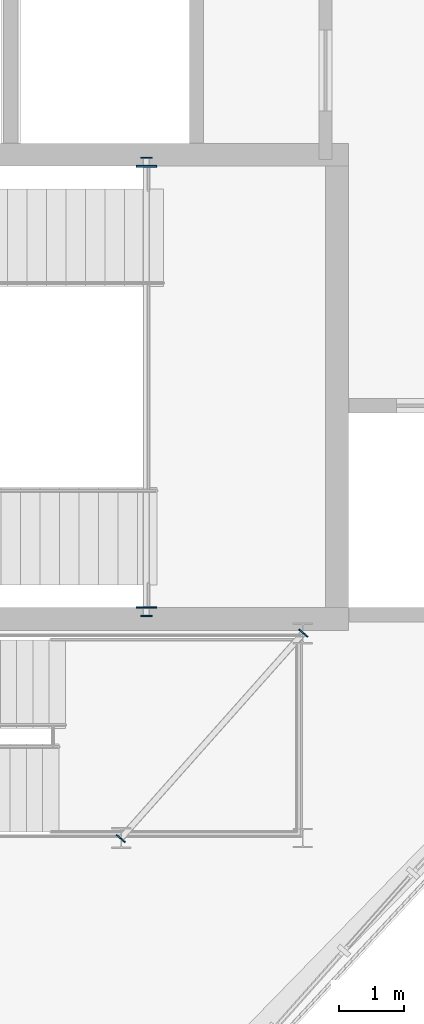
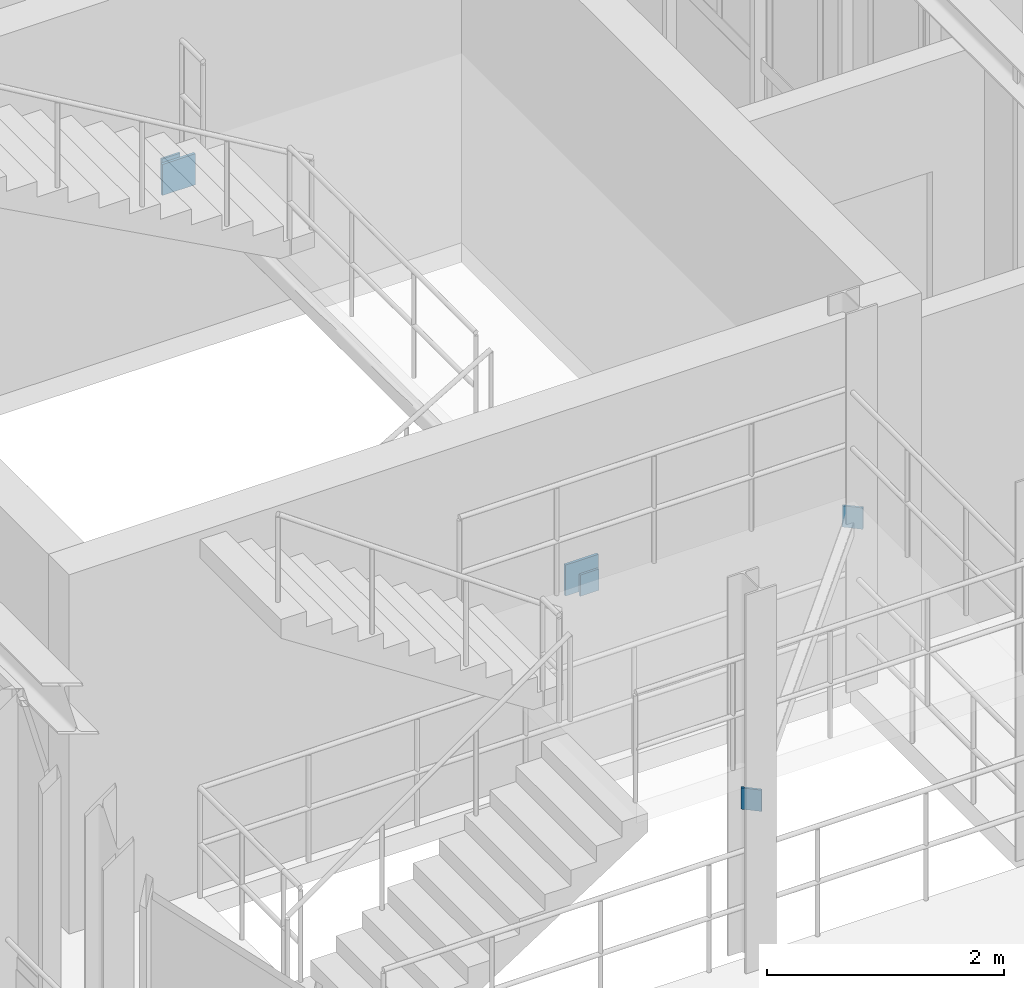
# One storey, part 22 of 42: 6 plates.
"""IFC4 building model written with IfcOpenShell, lengths in metres."""

from ifc_helpers import new_model, si_unit, direction, frame, origin, origin_2d, place, context, subcontext, project, spatial, rectangle, extrude, material, layer, layer_set, type_object, element, save


model = new_model("IFC4")

# Units and contexts
model_context = context("Model", 3, precision=1e-05, world=origin(), true_north=direction((0.0, 1.0)))
body_context = subcontext(model_context, "Body", "Model", "MODEL_VIEW")
ifc_project = project(units=[si_unit("LENGTHUNIT", "METRE"), si_unit("AREAUNIT", "SQUARE_METRE"), si_unit("VOLUMEUNIT", "CUBIC_METRE"), si_unit("PLANEANGLEUNIT", "RADIAN"), si_unit("MASSUNIT", "GRAM", prefix="KILO"), si_unit("THERMODYNAMICTEMPERATUREUNIT", "KELVIN"), si_unit("POWERUNIT", "WATT")], contexts=[model_context])

# Site, building, storey
site_placement = place(None, origin())
site = spatial("IfcSite", under=ifc_project, at=site_placement, CompositionType="ELEMENT")
building_placement = place(site_placement, origin())
building = spatial("IfcBuilding", under=site, at=building_placement, Name="Solvatero Civic Police Headquarters", CompositionType="ELEMENT")
storey_placement = place(building_placement, frame((0.0, 0.0, 21.60009765625)))
storey = spatial("IfcBuildingStorey", under=building, at=storey_placement, Name="L05", CompositionType="ELEMENT", Elevation=21.60009765625)

# Plates
ifc_material = material(Name="Steel S355", Category="steel")
ifc_layer_1 = layer(ifc_material, 0.02001953125)
ifc_layer_set_1 = layer_set([ifc_layer_1], Name="Steel S355")
plate_type_1 = type_object("IfcPlateType", Name="PLT-CAP-20", PredefinedType="SHEET", material=ifc_layer_set_1)
for number, where, z_axis, x_axis, name in (
    (1, (43.0400390625, 15.8701171875, 1.56494140625), (0.0, 0.0, 1.0), (1.0, 0.0, 0.0), "Hollow Section Cap Plate 0015"),
    (2, (43.0400390625, 22.929931640625, 1.56494140625), (0.0, 0.0, 1.0), (1.0, 0.0, 0.0), "Hollow Section Cap Plate 0016"),
):
    element("IfcPlate", number, at=place(storey_placement, frame(where, z_axis=z_axis, x_axis=x_axis)), inside=storey, type_object=plate_type_1, Name=name, PredefinedType="SHEET", context=body_context, shape_type="SweptSolid", body=[
        extrude(rectangle(XDim=0.179931640625, YDim=0.02001953125, at=origin_2d()), origin(), (0.0, 0.0, 1.0), 0.219970703125),
    ])
for number, where, z_axis, x_axis, name in (
    (3, (42.643310546875, 12.4423828125, 1.5498046875), (0.0, 0.0, 1.0), (0.664369848049, 0.747403977112, 0.0), "Hollow Section Cap Plate 0087"),
    (4, (45.45654296875, 15.607421875, 1.5498046875), (0.0, 0.0, 1.0), (0.664369848049, 0.747403977112, 0.0), "Hollow Section Cap Plate 0088"),
):
    element("IfcPlate", number, at=place(storey_placement, frame(where, z_axis=z_axis, x_axis=x_axis)), inside=storey, type_object=plate_type_1, Name=name, PredefinedType="SHEET", context=body_context, shape_type="SweptSolid", body=[
        extrude(rectangle(XDim=0.02001953125, YDim=0.179931640625, at=origin_2d()), origin(), (0.0, 0.0, 1.0), 0.219970703125),
    ])
ifc_layer_2 = layer(ifc_material, 0.02490234375)
ifc_layer_set_2 = layer_set([ifc_layer_2], Name="Steel S355")
plate_type_2 = type_object("IfcPlateType", Name="PLT-EMB-25", PredefinedType="SHEET", material=ifc_layer_set_2)
for number, where, z_axis, x_axis, name in (
    (5, (43.0400390625, 16.0, 1.5146484375), (0.0, 0.0, 1.0), (1.0, 0.0, 0.0), "Cast-In Shear Wall Embed Plate 0015"),
    (6, (43.0400390625, 22.800048828125, 1.5146484375), (0.0, 0.0, 1.0), (1.0, 0.0, 0.0), "Cast-In Shear Wall Embed Plate 0016"),
):
    element("IfcPlate", number, at=place(storey_placement, frame(where, z_axis=z_axis, x_axis=x_axis)), inside=storey, type_object=plate_type_2, Name=name, PredefinedType="SHEET", context=body_context, shape_type="SweptSolid", body=[
        extrude(rectangle(XDim=0.320068359375, YDim=0.02490234375, at=origin_2d()), origin(), (0.0, 0.0, 1.0), 0.320068359375),
    ])

save(model, "model.ifc")
